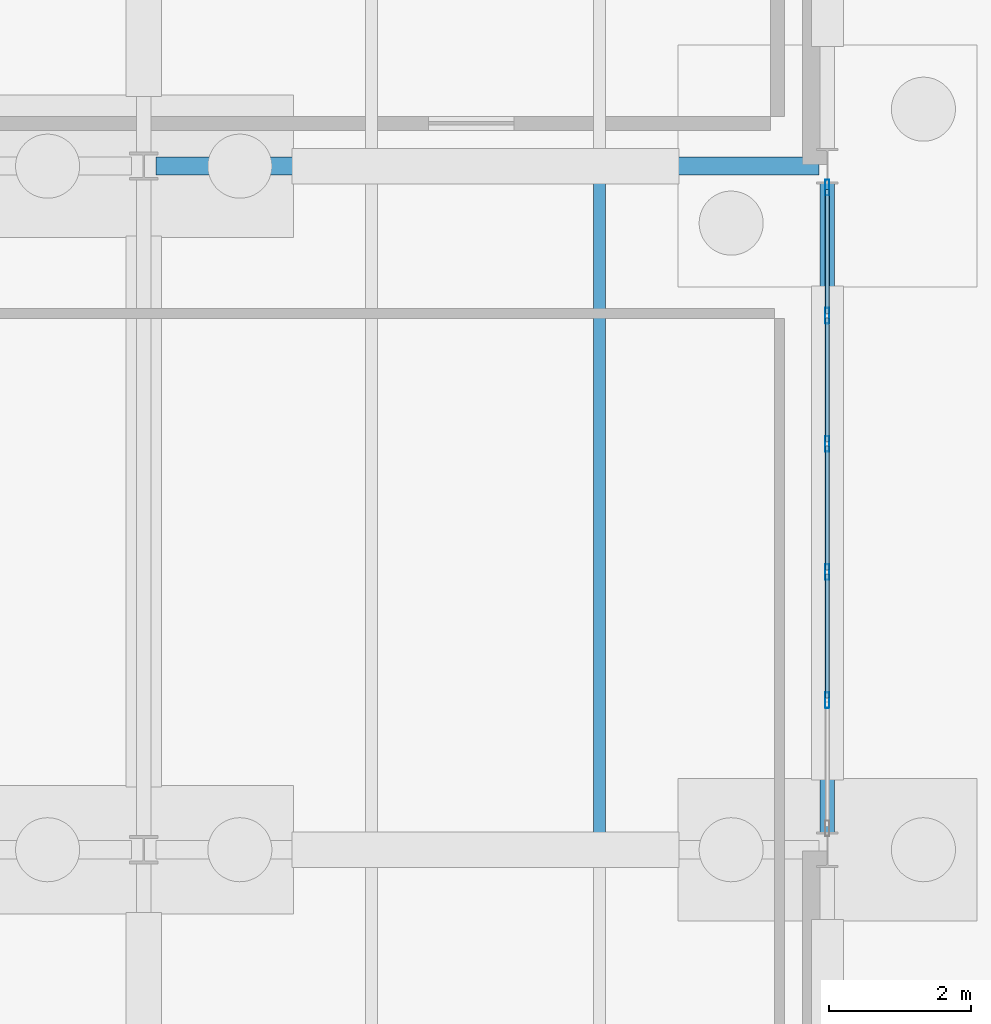
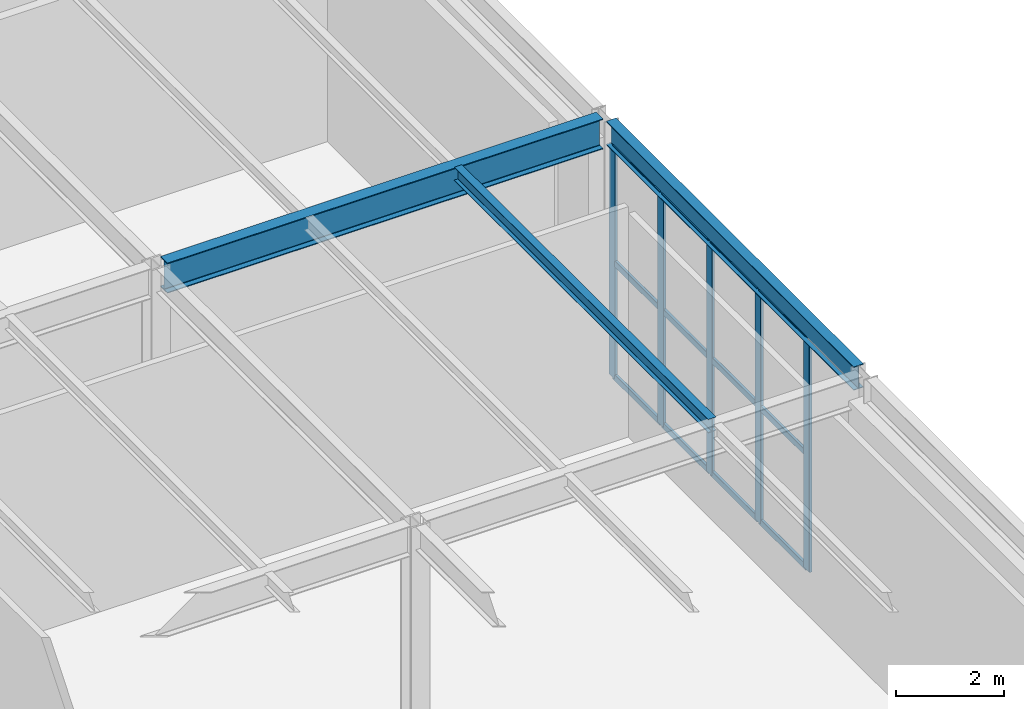
# One storey, part 91 of 142: 17 members, 3 beams, 1 element without a shape of its own.
"""IFC4 building model written with IfcOpenShell, lengths in metres."""

from ifc_helpers import new_model, si_unit, direction, frame, origin, origin_2d, place, context, subcontext, project, spatial, hollow_rectangle, i_section, extrude, material, material_profile, profile_set, type_object, element, aggregate, save


model = new_model("IFC4")

# Units and contexts
model_context = context("Model", 3, precision=1e-05, world=origin(), true_north=direction((0.0, 1.0)))
body_context = subcontext(model_context, "Body", "Model", "MODEL_VIEW")
ifc_project = project(units=[si_unit("LENGTHUNIT", "METRE"), si_unit("AREAUNIT", "SQUARE_METRE"), si_unit("VOLUMEUNIT", "CUBIC_METRE"), si_unit("PLANEANGLEUNIT", "RADIAN"), si_unit("MASSUNIT", "GRAM", prefix="KILO")], contexts=[model_context])

# Site, building, storey
site_placement = place(None, origin())
site = spatial("IfcSite", under=ifc_project, at=site_placement, CompositionType="ELEMENT")
building_placement = place(site_placement, origin())
building = spatial("IfcBuilding", under=site, at=building_placement, Name="Coralgate Yard Interchange", CompositionType="ELEMENT")
storey_placement = place(building_placement, origin())
storey = spatial("IfcBuildingStorey", under=building, at=storey_placement, Name="L00", CompositionType="ELEMENT", Elevation=0.0)

# Beams
ifc_material_1 = material(Name="Structural steel S355J2", Category="steel")
ifc_material_profile_1 = material_profile(ifc_material_1, i_section(OverallWidth=0.209228515625, OverallDepth=0.533203125, WebThickness=0.010009765625, FlangeThickness=0.015625, FilletRadius=0.0126953125, at=origin_2d()), Name="UB 533x210x92")
ifc_profile_set_1 = profile_set([ifc_material_profile_1], Name="Structural steel S355J2")
beam_type_1 = type_object("IfcBeamType", Name="BM-SB-1", PredefinedType="BEAM", material=ifc_profile_set_1)
beam_1_placement = place(storey_placement, frame((182.39990234375, 29.02001953125, 5.4833984375), z_axis=(0.0, 1.0, 0.0), x_axis=(-1.0, 0.0, 0.0)))
element("IfcBeam", 1, at=beam_1_placement, inside=storey, type_object=beam_type_1, Name="L00 primary grid girder X19 Y3-4", PredefinedType="BEAM", context=body_context, shape_type="SweptSolid", body=[
    extrude(i_section(OverallWidth=0.209228515625, OverallDepth=0.533203125, WebThickness=0.010009765625, FlangeThickness=0.015625, FilletRadius=0.0126953125, at=origin_2d()), origin(), (0.0, 0.0, 1.0), 9.159912109375),
])
ifc_material_profile_2 = material_profile(ifc_material_1, i_section(OverallWidth=0.253662109375, OverallDepth=0.68359375, WebThickness=0.012451171875, FlangeThickness=0.01904296875, FilletRadius=0.01513671875, at=origin_2d()), Name="UB 686x254x140")
ifc_profile_set_2 = profile_set([ifc_material_profile_2], Name="Structural steel S355J2")
beam_type_2 = type_object("IfcBeamType", Name="BM-SG-4", PredefinedType="BEAM", material=ifc_profile_set_2)
beam_2_placement = place(storey_placement, frame((172.969482421875, 38.39990234375, 5.408203125), z_axis=(1.0, 0.0, 0.0), x_axis=(0.0, 1.0, 0.0)))
element("IfcBeam", 2, at=beam_2_placement, inside=storey, type_object=beam_type_2, Name="L00 primary grid beam Y4 X18-19", PredefinedType="BEAM", context=body_context, shape_type="SweptSolid", body=[
    extrude(i_section(OverallWidth=0.253662109375, OverallDepth=0.68359375, WebThickness=0.012451171875, FlangeThickness=0.01904296875, FilletRadius=0.01513671875, at=origin_2d()), origin(), (0.0, 0.0, 1.0), 9.310546875),
])
ifc_material_profile_3 = material_profile(ifc_material_1, i_section(OverallWidth=0.1650390625, OverallDepth=0.303466796875, WebThickness=0.006103515625, FlangeThickness=0.01025390625, FilletRadius=0.0087890625, at=origin_2d()), Name="UB 305x165x40")
ifc_profile_set_3 = profile_set([ifc_material_profile_3], Name="Structural steel S355J2")
beam_type_3 = type_object("IfcBeamType", Name="BM-SJ-1", PredefinedType="JOIST", material=ifc_profile_set_3)
beam_3_placement = place(storey_placement, frame((179.199951171875, 28.896728515625, 5.598388671875), z_axis=(0.0, 1.0, 0.0), x_axis=(-1.0, 0.0, 0.0)))
element("IfcBeam", 3, at=beam_3_placement, inside=storey, type_object=beam_type_3, Name="L00 composite floor joist 18-3-2", PredefinedType="JOIST", context=body_context, shape_type="SweptSolid", body=[
    extrude(i_section(OverallWidth=0.1650390625, OverallDepth=0.303466796875, WebThickness=0.006103515625, FlangeThickness=0.01025390625, FilletRadius=0.0087890625, at=origin_2d()), origin(), (0.0, 0.0, 1.0), 9.40625),
])

# Curtain wall, members
ifc_material_2 = material(Name="Anodised coastal aluminium and solar-control low-E glass", Category="aluminium")
curtain_wall_type = type_object("IfcCurtainWallType", Name="CW-CW-L00-B", PredefinedType="NOTDEFINED", material=ifc_material_2)
curtain_wall_placement = place(storey_placement, origin())
curtain_wall = element("IfcCurtainWall", 4, at=curtain_wall_placement, inside=storey, type_object=curtain_wall_type, Name="L00 unitised curtain wall CW-L00-E-18-03", PredefinedType="NOTDEFINED")
ifc_material_3 = material(Name="Anodised coastal aluminium 6063-T6", Category="aluminium")
ifc_material_profile_4 = material_profile(ifc_material_3, hollow_rectangle(XDim=0.06005859375, YDim=0.219970703125, WallThickness=0.00390625, InnerFilletRadius=0.00390625, OuterFilletRadius=0.008056640625, at=origin_2d()), Name="ALU 60x220x4")
ifc_profile_set_4 = profile_set([ifc_material_profile_4], Name="Anodised coastal aluminium 6063-T6")
member_type_1 = type_object("IfcMemberType", Name="MB-MUL-220", PredefinedType="MULLION", material=ifc_profile_set_4)
member_1_placement = place(storey_placement, frame((182.39990234375, 38.10009765625, 0.0), z_axis=(0.0, 0.0, 1.0), x_axis=(1.0, 0.0, 0.0)))
member_1 = element("IfcMember", 5, at=member_1_placement, type_object=member_type_1, Name="CW-L00-E-18-03 vertical mullion 1", PredefinedType="MULLION", context=body_context, shape_type="SweptSolid", body=[
    extrude(hollow_rectangle(XDim=0.06005859375, YDim=0.219970703125, WallThickness=0.00390625, InnerFilletRadius=0.00390625, OuterFilletRadius=0.008056640625, at=origin_2d()), origin(), (0.0, 0.0, 1.0), 5.216796875),
])
member_2_placement = place(storey_placement, frame((182.39990234375, 36.300048828125, 0.0), z_axis=(0.0, 0.0, 1.0), x_axis=(1.0, 0.0, 0.0)))
member_2 = element("IfcMember", 6, at=member_2_placement, type_object=member_type_1, Name="CW-L00-E-18-03 vertical mullion 2", PredefinedType="MULLION", context=body_context, shape_type="SweptSolid", body=[
    extrude(hollow_rectangle(XDim=0.06005859375, YDim=0.219970703125, WallThickness=0.00390625, InnerFilletRadius=0.00390625, OuterFilletRadius=0.008056640625, at=origin_2d()), origin(), (0.0, 0.0, 1.0), 5.216796875),
])
member_3_placement = place(storey_placement, frame((182.39990234375, 34.5, 0.0), z_axis=(0.0, 0.0, 1.0), x_axis=(1.0, 0.0, 0.0)))
member_3 = element("IfcMember", 7, at=member_3_placement, type_object=member_type_1, Name="CW-L00-E-18-03 vertical mullion 3", PredefinedType="MULLION", context=body_context, shape_type="SweptSolid", body=[
    extrude(hollow_rectangle(XDim=0.06005859375, YDim=0.219970703125, WallThickness=0.00390625, InnerFilletRadius=0.00390625, OuterFilletRadius=0.008056640625, at=origin_2d()), origin(), (0.0, 0.0, 1.0), 5.216796875),
])
member_4_placement = place(storey_placement, frame((182.39990234375, 32.699951171875, 0.0), z_axis=(0.0, 0.0, 1.0), x_axis=(1.0, 0.0, 0.0)))
member_4 = element("IfcMember", 8, at=member_4_placement, type_object=member_type_1, Name="CW-L00-E-18-03 vertical mullion 4", PredefinedType="MULLION", context=body_context, shape_type="SweptSolid", body=[
    extrude(hollow_rectangle(XDim=0.06005859375, YDim=0.219970703125, WallThickness=0.00390625, InnerFilletRadius=0.00390625, OuterFilletRadius=0.008056640625, at=origin_2d()), origin(), (0.0, 0.0, 1.0), 5.216796875),
])
member_5_placement = place(storey_placement, frame((182.39990234375, 30.89990234375, 0.0), z_axis=(0.0, 0.0, 1.0), x_axis=(1.0, 0.0, 0.0)))
member_5 = element("IfcMember", 9, at=member_5_placement, type_object=member_type_1, Name="CW-L00-E-18-03 vertical mullion 5", PredefinedType="MULLION", context=body_context, shape_type="SweptSolid", body=[
    extrude(hollow_rectangle(XDim=0.06005859375, YDim=0.219970703125, WallThickness=0.00390625, InnerFilletRadius=0.00390625, OuterFilletRadius=0.008056640625, at=origin_2d()), origin(), (0.0, 0.0, 1.0), 5.216796875),
])
ifc_material_profile_5 = material_profile(ifc_material_3, hollow_rectangle(XDim=0.06005859375, YDim=0.139892578125, WallThickness=0.00341796875, InnerFilletRadius=0.00341796875, OuterFilletRadius=0.007080078125, at=origin_2d()), Name="ALU 60x140x3.5")
ifc_profile_set_5 = profile_set([ifc_material_profile_5], Name="Anodised coastal aluminium 6063-T6")
member_type_2 = type_object("IfcMemberType", Name="MB-TRN-140", PredefinedType="USERDEFINED", material=ifc_profile_set_5)
member_6_placement = place(storey_placement, frame((182.39990234375, 38.070068359375, 0.034912109375), z_axis=(0.0, -1.0, 0.0), x_axis=(1.0, 0.0, 0.0)))
member_6 = element("IfcMember", 10, at=member_6_placement, type_object=member_type_2, Name="CW-L00-E-18-03 horizontal transom 1-1", ObjectType="TRANSOM", PredefinedType="USERDEFINED", context=body_context, shape_type="SweptSolid", body=[
    extrude(hollow_rectangle(XDim=0.06005859375, YDim=0.139892578125, WallThickness=0.00341796875, InnerFilletRadius=0.00341796875, OuterFilletRadius=0.007080078125, at=origin_2d()), origin(), (0.0, 0.0, 1.0), 1.739990234375),
])
member_7_placement = place(storey_placement, frame((182.39990234375, 38.070068359375, 2.6083984375), z_axis=(0.0, -1.0, 0.0), x_axis=(1.0, 0.0, 0.0)))
member_7 = element("IfcMember", 11, at=member_7_placement, type_object=member_type_2, Name="CW-L00-E-18-03 horizontal transom 1-2", ObjectType="TRANSOM", PredefinedType="USERDEFINED", context=body_context, shape_type="SweptSolid", body=[
    extrude(hollow_rectangle(XDim=0.06005859375, YDim=0.139892578125, WallThickness=0.00341796875, InnerFilletRadius=0.00341796875, OuterFilletRadius=0.007080078125, at=origin_2d()), origin(), (0.0, 0.0, 1.0), 1.739990234375),
])
member_8_placement = place(storey_placement, frame((182.39990234375, 38.070068359375, 5.181884765625), z_axis=(0.0, -1.0, 0.0), x_axis=(1.0, 0.0, 0.0)))
member_8 = element("IfcMember", 12, at=member_8_placement, type_object=member_type_2, Name="CW-L00-E-18-03 horizontal transom 1-3", ObjectType="TRANSOM", PredefinedType="USERDEFINED", context=body_context, shape_type="SweptSolid", body=[
    extrude(hollow_rectangle(XDim=0.06005859375, YDim=0.139892578125, WallThickness=0.00341796875, InnerFilletRadius=0.00341796875, OuterFilletRadius=0.007080078125, at=origin_2d()), origin(), (0.0, 0.0, 1.0), 1.739990234375),
])
member_9_placement = place(storey_placement, frame((182.39990234375, 36.27001953125, 0.034912109375), z_axis=(0.0, -1.0, 0.0), x_axis=(1.0, 0.0, 0.0)))
member_9 = element("IfcMember", 13, at=member_9_placement, type_object=member_type_2, Name="CW-L00-E-18-03 horizontal transom 2-1", ObjectType="TRANSOM", PredefinedType="USERDEFINED", context=body_context, shape_type="SweptSolid", body=[
    extrude(hollow_rectangle(XDim=0.06005859375, YDim=0.139892578125, WallThickness=0.00341796875, InnerFilletRadius=0.00341796875, OuterFilletRadius=0.007080078125, at=origin_2d()), origin(), (0.0, 0.0, 1.0), 1.739990234375),
])
member_10_placement = place(storey_placement, frame((182.39990234375, 36.27001953125, 2.6083984375), z_axis=(0.0, -1.0, 0.0), x_axis=(1.0, 0.0, 0.0)))
member_10 = element("IfcMember", 14, at=member_10_placement, type_object=member_type_2, Name="CW-L00-E-18-03 horizontal transom 2-2", ObjectType="TRANSOM", PredefinedType="USERDEFINED", context=body_context, shape_type="SweptSolid", body=[
    extrude(hollow_rectangle(XDim=0.06005859375, YDim=0.139892578125, WallThickness=0.00341796875, InnerFilletRadius=0.00341796875, OuterFilletRadius=0.007080078125, at=origin_2d()), origin(), (0.0, 0.0, 1.0), 1.739990234375),
])
member_11_placement = place(storey_placement, frame((182.39990234375, 36.27001953125, 5.181884765625), z_axis=(0.0, -1.0, 0.0), x_axis=(1.0, 0.0, 0.0)))
member_11 = element("IfcMember", 15, at=member_11_placement, type_object=member_type_2, Name="CW-L00-E-18-03 horizontal transom 2-3", ObjectType="TRANSOM", PredefinedType="USERDEFINED", context=body_context, shape_type="SweptSolid", body=[
    extrude(hollow_rectangle(XDim=0.06005859375, YDim=0.139892578125, WallThickness=0.00341796875, InnerFilletRadius=0.00341796875, OuterFilletRadius=0.007080078125, at=origin_2d()), origin(), (0.0, 0.0, 1.0), 1.739990234375),
])
member_12_placement = place(storey_placement, frame((182.39990234375, 34.469970703125, 0.034912109375), z_axis=(0.0, -1.0, 0.0), x_axis=(1.0, 0.0, 0.0)))
member_12 = element("IfcMember", 16, at=member_12_placement, type_object=member_type_2, Name="CW-L00-E-18-03 horizontal transom 3-1", ObjectType="TRANSOM", PredefinedType="USERDEFINED", context=body_context, shape_type="SweptSolid", body=[
    extrude(hollow_rectangle(XDim=0.06005859375, YDim=0.139892578125, WallThickness=0.00341796875, InnerFilletRadius=0.00341796875, OuterFilletRadius=0.007080078125, at=origin_2d()), origin(), (0.0, 0.0, 1.0), 1.739990234375),
])
member_13_placement = place(storey_placement, frame((182.39990234375, 34.469970703125, 2.6083984375), z_axis=(0.0, -1.0, 0.0), x_axis=(1.0, 0.0, 0.0)))
member_13 = element("IfcMember", 17, at=member_13_placement, type_object=member_type_2, Name="CW-L00-E-18-03 horizontal transom 3-2", ObjectType="TRANSOM", PredefinedType="USERDEFINED", context=body_context, shape_type="SweptSolid", body=[
    extrude(hollow_rectangle(XDim=0.06005859375, YDim=0.139892578125, WallThickness=0.00341796875, InnerFilletRadius=0.00341796875, OuterFilletRadius=0.007080078125, at=origin_2d()), origin(), (0.0, 0.0, 1.0), 1.739990234375),
])
member_14_placement = place(storey_placement, frame((182.39990234375, 34.469970703125, 5.181884765625), z_axis=(0.0, -1.0, 0.0), x_axis=(1.0, 0.0, 0.0)))
member_14 = element("IfcMember", 18, at=member_14_placement, type_object=member_type_2, Name="CW-L00-E-18-03 horizontal transom 3-3", ObjectType="TRANSOM", PredefinedType="USERDEFINED", context=body_context, shape_type="SweptSolid", body=[
    extrude(hollow_rectangle(XDim=0.06005859375, YDim=0.139892578125, WallThickness=0.00341796875, InnerFilletRadius=0.00341796875, OuterFilletRadius=0.007080078125, at=origin_2d()), origin(), (0.0, 0.0, 1.0), 1.739990234375),
])
member_15_placement = place(storey_placement, frame((182.39990234375, 32.669921875, 0.034912109375), z_axis=(0.0, -1.0, 0.0), x_axis=(1.0, 0.0, 0.0)))
member_15 = element("IfcMember", 19, at=member_15_placement, type_object=member_type_2, Name="CW-L00-E-18-03 horizontal transom 4-1", ObjectType="TRANSOM", PredefinedType="USERDEFINED", context=body_context, shape_type="SweptSolid", body=[
    extrude(hollow_rectangle(XDim=0.06005859375, YDim=0.139892578125, WallThickness=0.00341796875, InnerFilletRadius=0.00341796875, OuterFilletRadius=0.007080078125, at=origin_2d()), origin(), (0.0, 0.0, 1.0), 1.739990234375),
])
member_16_placement = place(storey_placement, frame((182.39990234375, 32.669921875, 2.6083984375), z_axis=(0.0, -1.0, 0.0), x_axis=(1.0, 0.0, 0.0)))
member_16 = element("IfcMember", 20, at=member_16_placement, type_object=member_type_2, Name="CW-L00-E-18-03 horizontal transom 4-2", ObjectType="TRANSOM", PredefinedType="USERDEFINED", context=body_context, shape_type="SweptSolid", body=[
    extrude(hollow_rectangle(XDim=0.06005859375, YDim=0.139892578125, WallThickness=0.00341796875, InnerFilletRadius=0.00341796875, OuterFilletRadius=0.007080078125, at=origin_2d()), origin(), (0.0, 0.0, 1.0), 1.739990234375),
])
member_17_placement = place(storey_placement, frame((182.39990234375, 32.669921875, 5.181884765625), z_axis=(0.0, -1.0, 0.0), x_axis=(1.0, 0.0, 0.0)))
member_17 = element("IfcMember", 21, at=member_17_placement, type_object=member_type_2, Name="CW-L00-E-18-03 horizontal transom 4-3", ObjectType="TRANSOM", PredefinedType="USERDEFINED", context=body_context, shape_type="SweptSolid", body=[
    extrude(hollow_rectangle(XDim=0.06005859375, YDim=0.139892578125, WallThickness=0.00341796875, InnerFilletRadius=0.00341796875, OuterFilletRadius=0.007080078125, at=origin_2d()), origin(), (0.0, 0.0, 1.0), 1.739990234375),
])
aggregate(curtain_wall, [member_1, member_2, member_3, member_4, member_5, member_6, member_7, member_8, member_9, member_10, member_11, member_12, member_13, member_14, member_15, member_16, member_17])

save(model, "model.ifc")
